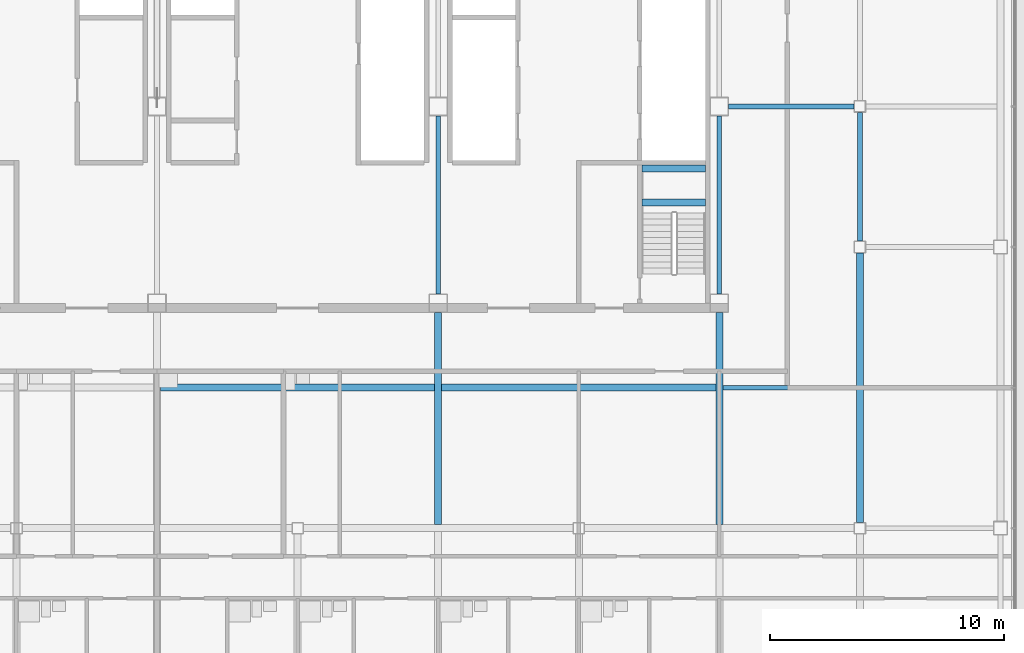
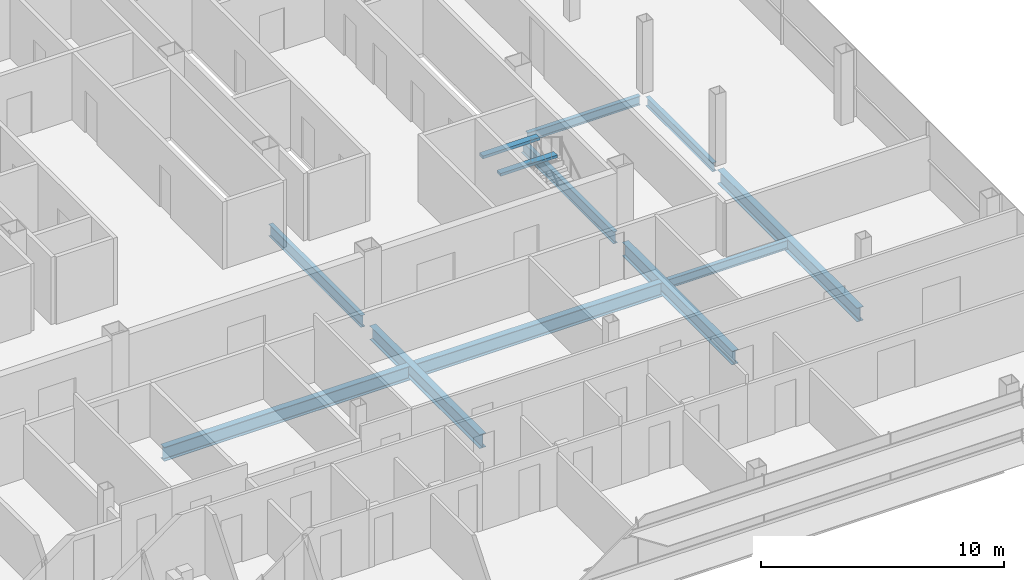
# One storey, part 11 of 28: 12 beams.
"""IFC4 building model written with IfcOpenShell, lengths in metres."""

from ifc_helpers import new_model, si_unit, direction, frame, origin, origin_2d, place, context, subcontext, project, spatial, rectangle, i_section, extrude, material, material_profile, profile_set, type_object, element, save


model = new_model("IFC4")

# Units and contexts
model_context = context("Model", 3, precision=1e-05, world=origin(), true_north=direction((0.0, 1.0)))
body_context = subcontext(model_context, "Body", "Model", "MODEL_VIEW")
ifc_project = project(units=[si_unit("LENGTHUNIT", "METRE"), si_unit("AREAUNIT", "SQUARE_METRE"), si_unit("VOLUMEUNIT", "CUBIC_METRE"), si_unit("PLANEANGLEUNIT", "RADIAN"), si_unit("MASSUNIT", "GRAM", prefix="KILO")], contexts=[model_context])

# Site, building, storey
site_placement = place(None, origin())
site = spatial("IfcSite", under=ifc_project, at=site_placement, CompositionType="ELEMENT")
building_placement = place(site_placement, origin())
building = spatial("IfcBuilding", under=site, at=building_placement, Name="Sorahane Residences", CompositionType="ELEMENT")
storey_placement = place(building_placement, frame((0.0, 0.0, 254.0)))
storey = spatial("IfcBuildingStorey", under=building, at=storey_placement, Name="L60", CompositionType="ELEMENT", Elevation=254.0)

# Beams
ifc_material_1 = material(Name="Concrete C40", Category="concrete")
ifc_material_profile_1 = material_profile(ifc_material_1, rectangle(XDim=0.300048828125, YDim=0.139892578125, at=origin_2d()), Name="300x140")
ifc_profile_set_1 = profile_set([ifc_material_profile_1], Name="Concrete C40")
beam_type_1 = type_object("IfcBeamType", Name="RC landing beam 300 x 140 Concrete C40", PredefinedType="BEAM", material=ifc_profile_set_1)
for number, where, z_axis, x_axis, name in (
    (1, (38.699951171875, 25.89990234375, 1.530029296875), (1.0, 0.0, 0.0), (0.0, 1.0, 0.0), "Landing beam"),
    (2, (38.699951171875, 27.35009765625, 1.530029296875), (1.0, 0.0, 0.0), (0.0, 1.0, 0.0), "Landing beam"),
):
    element("IfcBeam", number, at=place(storey_placement, frame(where, z_axis=z_axis, x_axis=x_axis)), inside=storey, type_object=beam_type_1, Name=name, PredefinedType="BEAM", context=body_context, shape_type="SweptSolid", body=[
        extrude(rectangle(XDim=0.300048828125, YDim=0.139892578125, at=origin_2d()), origin(), (0.0, 0.0, 1.0), 2.699951171875),
    ])
ifc_material_2 = material(Name="Steel Q355B", Category="steel")
ifc_material_profile_2 = material_profile(ifc_material_2, i_section(OverallWidth=0.199951171875, OverallDepth=0.449951171875, WebThickness=0.009033203125, FlangeThickness=0.013916015625, FilletRadius=0.02001953125, at=origin_2d()), Name="HN 450x200x9x14")
ifc_profile_set_2 = profile_set([ifc_material_profile_2], Name="Steel Q355B")
beam_type_2 = type_object("IfcBeamType", Name="Steel floor beam HN 450x200x9x14 Q355B", PredefinedType="BEAM", material=ifc_profile_set_2)
beam_1_placement = place(storey_placement, frame((48.0, 24.25, -0.405029296875), z_axis=(0.0, 1.0, 0.0), x_axis=(-1.0, 0.0, 0.0)))
element("IfcBeam", 3, at=beam_1_placement, inside=storey, type_object=beam_type_2, Name="Beam L60 060", PredefinedType="BEAM", context=body_context, shape_type="SweptSolid", body=[
    extrude(i_section(OverallWidth=0.199951171875, OverallDepth=0.449951171875, WebThickness=0.009033203125, FlangeThickness=0.013916015625, FilletRadius=0.02001953125, at=origin_2d()), origin(), (0.0, 0.0, 1.0), 5.5),
])
beam_2_placement = place(storey_placement, frame((42.14990234375, 18.0, -0.405029296875), z_axis=(1.0, 0.0, 0.0), x_axis=(0.0, 1.0, 0.0)))
element("IfcBeam", 4, at=beam_2_placement, inside=storey, type_object=beam_type_2, Name="Beam L60 083", PredefinedType="BEAM", context=body_context, shape_type="SweptSolid", body=[
    extrude(i_section(OverallWidth=0.199951171875, OverallDepth=0.449951171875, WebThickness=0.009033203125, FlangeThickness=0.013916015625, FilletRadius=0.02001953125, at=origin_2d()), origin(), (0.0, 0.0, 1.0), 5.7001953125),
])
beam_3_placement = place(storey_placement, frame((42.39990234375, 30.0, -0.405029296875), z_axis=(1.0, 0.0, 0.0), x_axis=(0.0, 1.0, 0.0)))
element("IfcBeam", 5, at=beam_3_placement, inside=storey, type_object=beam_type_2, Name="Beam L60 087", PredefinedType="BEAM", context=body_context, shape_type="SweptSolid", body=[
    extrude(i_section(OverallWidth=0.199951171875, OverallDepth=0.449951171875, WebThickness=0.009033203125, FlangeThickness=0.013916015625, FilletRadius=0.02001953125, at=origin_2d()), origin(), (0.0, 0.0, 1.0), 5.35009765625),
])
ifc_material_3 = material(Name="Steel Q355B", Category="steel")
ifc_material_profile_3 = material_profile(ifc_material_3, i_section(OverallWidth=0.199951171875, OverallDepth=0.60009765625, WebThickness=0.010986328125, FlangeThickness=0.01708984375, FilletRadius=0.02392578125, at=origin_2d()), Name="HN 600x200x11x17")
ifc_profile_set_3 = profile_set([ifc_material_profile_3], Name="Steel Q355B")
beam_type_3 = type_object("IfcBeamType", Name="Steel floor beam HN 600x200x11x17 Q355B", PredefinedType="BEAM", material=ifc_profile_set_3)
for number, where, z_axis, x_axis, name in (
    (6, (30.0, 22.0, -0.47998046875), (0.0, 1.0, 0.0), (-1.0, 0.0, 0.0), "Beam L60 046"),
    (7, (42.0, 22.0, -0.47998046875), (0.0, 1.0, 0.0), (-1.0, 0.0, 0.0), "Beam L60 054"),
):
    element("IfcBeam", number, at=place(storey_placement, frame(where, z_axis=z_axis, x_axis=x_axis)), inside=storey, type_object=beam_type_3, Name=name, PredefinedType="BEAM", context=body_context, shape_type="SweptSolid", body=[
        extrude(i_section(OverallWidth=0.199951171875, OverallDepth=0.60009765625, WebThickness=0.010986328125, FlangeThickness=0.01708984375, FilletRadius=0.02392578125, at=origin_2d()), origin(), (0.0, 0.0, 1.0), 7.60009765625),
    ])
ifc_material_4 = material(Name="Steel Q355B", Category="steel")
ifc_material_profile_4 = material_profile(ifc_material_4, i_section(OverallWidth=0.300048828125, OverallDepth=0.699951171875, WebThickness=0.012939453125, FlangeThickness=0.02392578125, FilletRadius=0.028076171875, at=origin_2d()), Name="HN 700x300x13x24")
ifc_profile_set_4 = profile_set([ifc_material_profile_4], Name="Steel Q355B")
beam_type_4 = type_object("IfcBeamType", Name="Steel floor beam HN 700x300x13x24 Q355B", PredefinedType="BEAM", material=ifc_profile_set_4)
for number, where, z_axis, x_axis, name in (
    (8, (30.0, 12.14990234375, -0.530029296875), (0.0, 1.0, 0.0), (-1.0, 0.0, 0.0), "Beam L60 045"),
    (9, (42.0, 12.14990234375, -0.530029296875), (0.0, 1.0, 0.0), (-1.0, 0.0, 0.0), "Beam L60 053"),
):
    element("IfcBeam", number, at=place(storey_placement, frame(where, z_axis=z_axis, x_axis=x_axis)), inside=storey, type_object=beam_type_4, Name=name, PredefinedType="BEAM", context=body_context, shape_type="SweptSolid", body=[
        extrude(i_section(OverallWidth=0.300048828125, OverallDepth=0.699951171875, WebThickness=0.012939453125, FlangeThickness=0.02392578125, FilletRadius=0.028076171875, at=origin_2d()), origin(), (0.0, 0.0, 1.0), 9.050048828125),
    ])
beam_4_placement = place(storey_placement, frame((48.0, 12.25, -0.530029296875), z_axis=(0.0, 1.0, 0.0), x_axis=(-1.0, 0.0, 0.0)))
element("IfcBeam", 10, at=beam_4_placement, inside=storey, type_object=beam_type_4, Name="Beam L60 059", PredefinedType="BEAM", context=body_context, shape_type="SweptSolid", body=[
    extrude(i_section(OverallWidth=0.300048828125, OverallDepth=0.699951171875, WebThickness=0.012939453125, FlangeThickness=0.02392578125, FilletRadius=0.028076171875, at=origin_2d()), origin(), (0.0, 0.0, 1.0), 11.5),
])
for number, where, z_axis, x_axis, name in (
    (11, (18.14990234375, 18.0, -0.530029296875), (1.0, 0.0, 0.0), (0.0, 1.0, 0.0), "Beam L60 081"),
    (12, (30.14990234375, 18.0, -0.530029296875), (1.0, 0.0, 0.0), (0.0, 1.0, 0.0), "Beam L60 082"),
):
    element("IfcBeam", number, at=place(storey_placement, frame(where, z_axis=z_axis, x_axis=x_axis)), inside=storey, type_object=beam_type_4, Name=name, PredefinedType="BEAM", context=body_context, shape_type="SweptSolid", body=[
        extrude(i_section(OverallWidth=0.300048828125, OverallDepth=0.699951171875, WebThickness=0.012939453125, FlangeThickness=0.02392578125, FilletRadius=0.028076171875, at=origin_2d()), origin(), (0.0, 0.0, 1.0), 11.7001953125),
    ])

save(model, "model.ifc")
